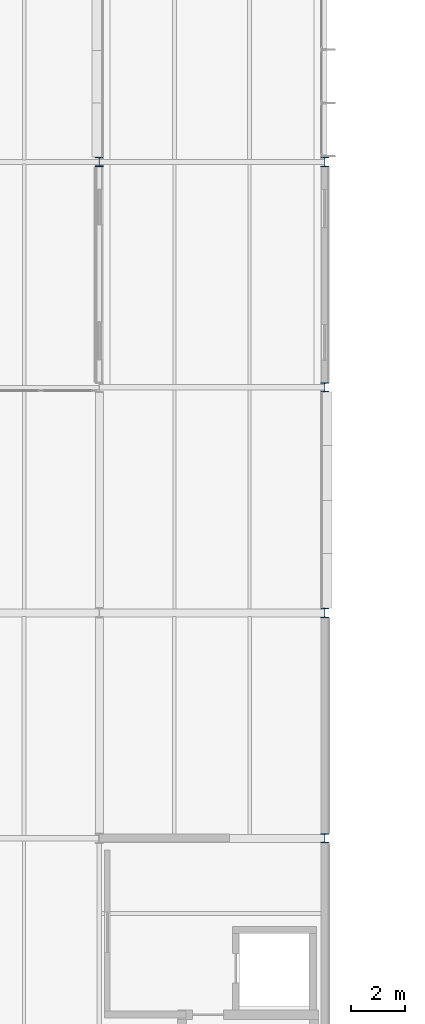
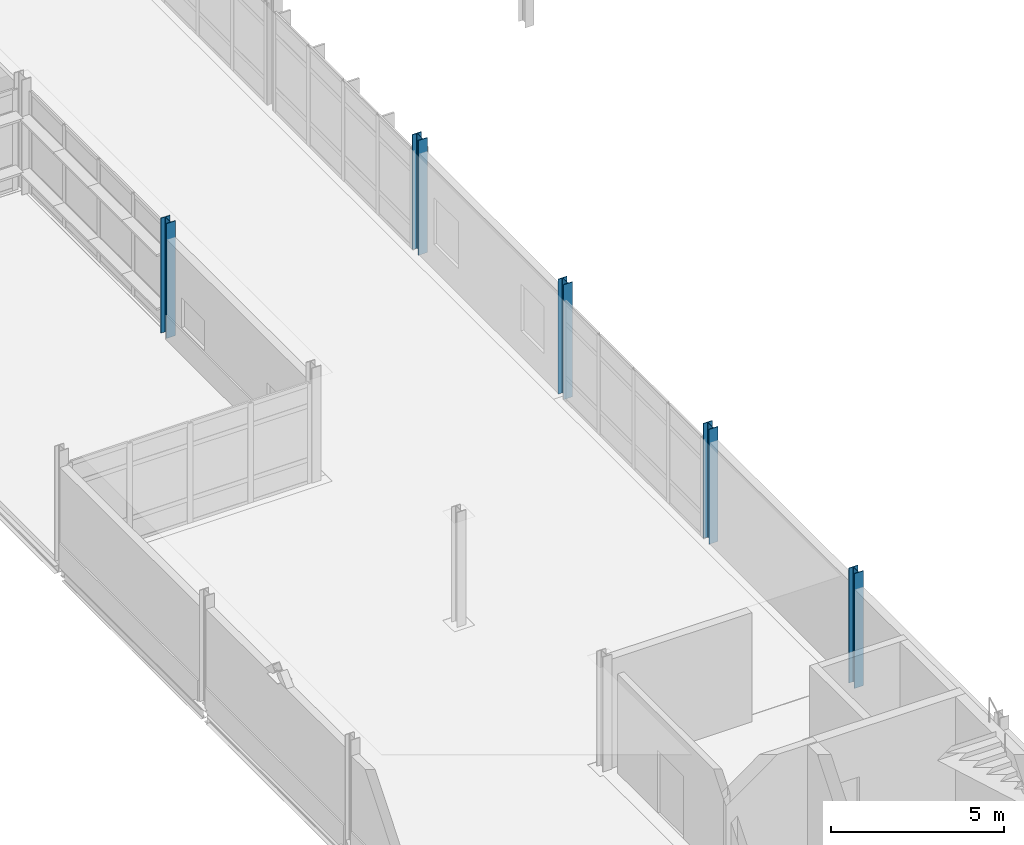
# One storey, part 10 of 103: 5 columns.
"""IFC4 building model written with IfcOpenShell, lengths in metres."""

from ifc_helpers import new_model, si_unit, direction, frame, origin, origin_2d, place, context, subcontext, project, spatial, i_section, extrude, material, material_profile, profile_set, type_object, element, save


model = new_model("IFC4")

# Units and contexts
model_context = context("Model", 3, precision=1e-05, world=origin(), true_north=direction((0.0, 1.0)))
body_context = subcontext(model_context, "Body", "Model", "MODEL_VIEW")
ifc_project = project(units=[si_unit("LENGTHUNIT", "METRE"), si_unit("AREAUNIT", "SQUARE_METRE"), si_unit("VOLUMEUNIT", "CUBIC_METRE"), si_unit("PLANEANGLEUNIT", "RADIAN"), si_unit("MASSUNIT", "GRAM", prefix="KILO")], contexts=[model_context])

# Site, building, storey
site_placement = place(None, origin())
site = spatial("IfcSite", under=ifc_project, at=site_placement, CompositionType="ELEMENT")
building_placement = place(site_placement, origin())
building = spatial("IfcBuilding", under=site, at=building_placement, Name="Mersafa Astral City Hall", CompositionType="ELEMENT")
storey_placement = place(building_placement, frame((0.0, 0.0, 18.0)))
storey = spatial("IfcBuildingStorey", under=building, at=storey_placement, Name="L04", CompositionType="ELEMENT", Elevation=18.0)

# Columns
ifc_material = material(Name="Steel S355", Category="steel")
ifc_material_profile_1 = material_profile(ifc_material, i_section(OverallWidth=0.300048828125, OverallDepth=0.340087890625, WebThickness=0.011962890625, FlangeThickness=0.021484375, FilletRadius=0.027099609375, at=origin_2d()), Name="HEB 340")
ifc_profile_set_1 = profile_set([ifc_material_profile_1], Name="Steel S355")
column_type_1 = type_object("IfcColumnType", Name="STR-COL-HEB340", PredefinedType="COLUMN", material=ifc_profile_set_1)
for number, where, z_axis, x_axis, name in (
    (1, (168.0, 92.39990234375, 0.0), (0.0, 0.0, 1.0), (1.0, 0.0, 0.0), "L04 Structural column G-20-11"),
    (2, (176.39990234375, 67.199951171875, 0.0), (0.0, 0.0, 1.0), (1.0, 0.0, 0.0), "L04 Structural column G-21-08"),
    (3, (176.39990234375, 84.0, 0.0), (0.0, 0.0, 1.0), (1.0, 0.0, 0.0), "L04 Structural column G-21-10"),
):
    element("IfcColumn", number, at=place(storey_placement, frame(where, z_axis=z_axis, x_axis=x_axis)), inside=storey, type_object=column_type_1, Name=name, PredefinedType="COLUMN", context=body_context, shape_type="SweptSolid", body=[
        extrude(i_section(OverallWidth=0.300048828125, OverallDepth=0.340087890625, WebThickness=0.011962890625, FlangeThickness=0.021484375, FilletRadius=0.027099609375, at=origin_2d()), origin(), (0.0, 0.0, 1.0), 4.050048828125),
    ])
ifc_material_profile_2 = material_profile(ifc_material, i_section(OverallWidth=0.300048828125, OverallDepth=0.360107421875, WebThickness=0.012451171875, FlangeThickness=0.0224609375, FilletRadius=0.027099609375, at=origin_2d()), Name="HEB 360")
ifc_profile_set_2 = profile_set([ifc_material_profile_2], Name="Steel S355")
column_type_2 = type_object("IfcColumnType", Name="STR-COL-HEB360", PredefinedType="COLUMN", material=ifc_profile_set_2)
for number, where, z_axis, x_axis, name in (
    (4, (176.39990234375, 75.60009765625, 0.0), (0.0, 0.0, 1.0), (1.0, 0.0, 0.0), "L04 Structural column G-21-09"),
    (5, (176.39990234375, 92.39990234375, 0.0), (0.0, 0.0, 1.0), (1.0, 0.0, 0.0), "L04 Structural column G-21-11"),
):
    element("IfcColumn", number, at=place(storey_placement, frame(where, z_axis=z_axis, x_axis=x_axis)), inside=storey, type_object=column_type_2, Name=name, PredefinedType="COLUMN", context=body_context, shape_type="SweptSolid", body=[
        extrude(i_section(OverallWidth=0.300048828125, OverallDepth=0.360107421875, WebThickness=0.012451171875, FlangeThickness=0.0224609375, FilletRadius=0.027099609375, at=origin_2d()), origin(), (0.0, 0.0, 1.0), 4.050048828125),
    ])

save(model, "model.ifc")
